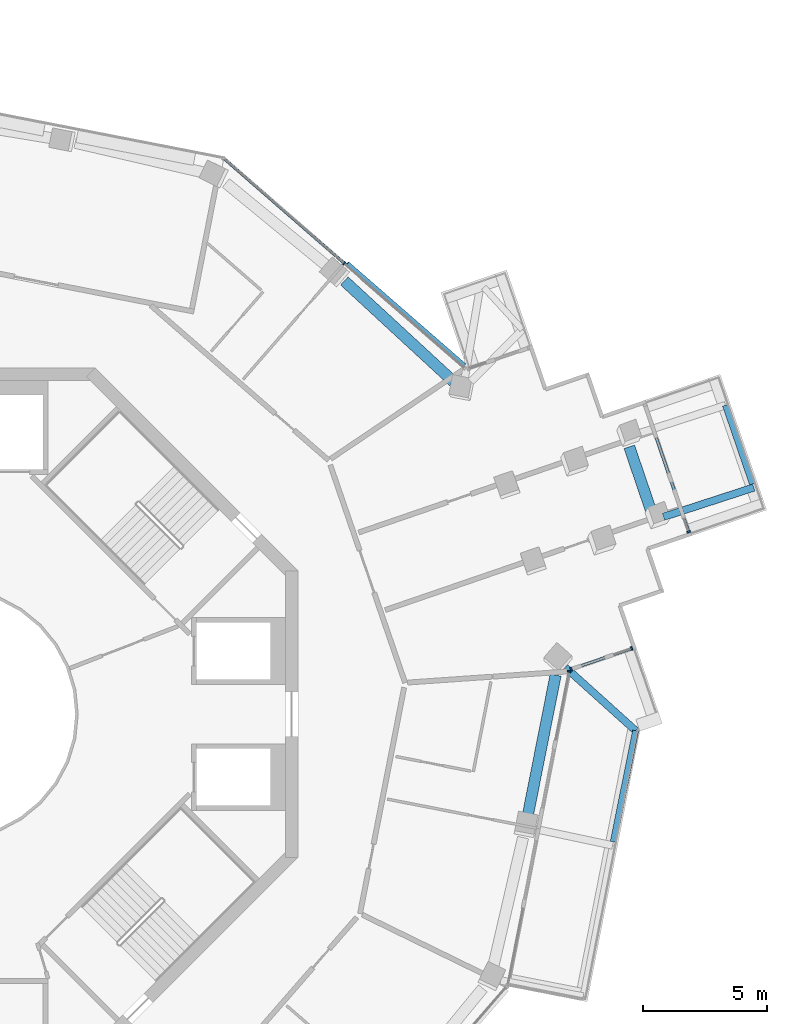
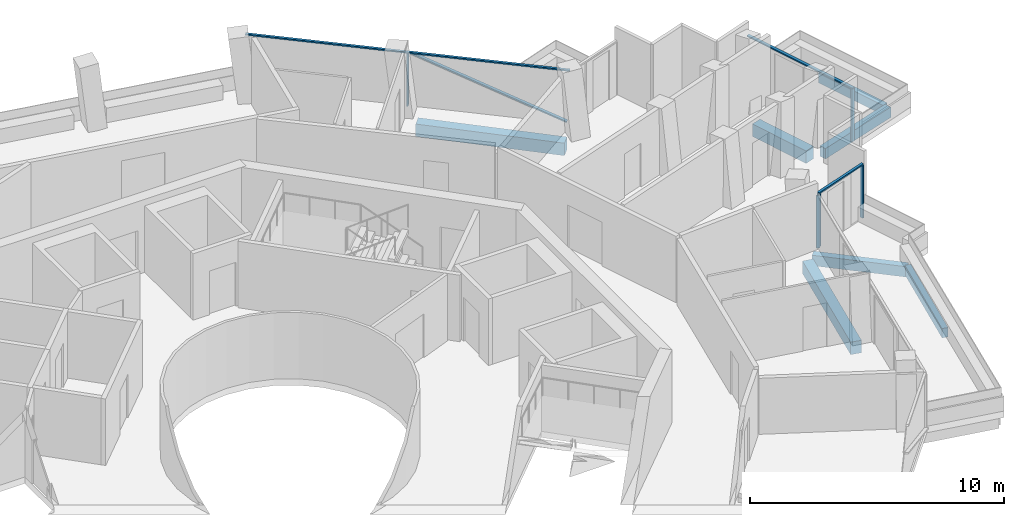
# One storey, part 8 of 22: 9 members, 7 beams, 4 elements without a shape of their own.
"""IFC4 building model written with IfcOpenShell, lengths in metres."""

from ifc_helpers import new_model, si_unit, direction, frame, origin, origin_2d, place, context, subcontext, project, spatial, rectangle, extrude, material, layer, layer_set, material_profile, profile_set, type_object, element, aggregate, save


model = new_model("IFC4")

# Units and contexts
model_context = context("Model", 3, precision=1e-05, world=origin(), true_north=direction((0.0, 1.0)))
body_context = subcontext(model_context, "Body", "Model", "MODEL_VIEW")
ifc_project = project(units=[si_unit("LENGTHUNIT", "METRE"), si_unit("AREAUNIT", "SQUARE_METRE"), si_unit("VOLUMEUNIT", "CUBIC_METRE"), si_unit("PLANEANGLEUNIT", "RADIAN"), si_unit("MASSUNIT", "GRAM", prefix="KILO")], contexts=[model_context])

# Site, building, storey
site_placement = place(None, origin())
site = spatial("IfcSite", under=ifc_project, at=site_placement, CompositionType="ELEMENT")
building_placement = place(site_placement, origin())
building = spatial("IfcBuilding", under=site, at=building_placement, Name="Verdalira Terraces Hotel", CompositionType="ELEMENT")
storey_placement = place(building_placement, frame((0.0, 0.0, 234.0)))
storey = spatial("IfcBuildingStorey", under=building, at=storey_placement, Name="L57", CompositionType="ELEMENT", Elevation=234.0)

# Beams
ifc_material_1 = material(Name="Concrete C40", Category="concrete")
ifc_material_profile_1 = material_profile(ifc_material_1, rectangle(XDim=0.300049, YDim=0.5, at=origin_2d()), Name="RC 300X500")
ifc_profile_set_1 = profile_set([ifc_material_profile_1], Name="Concrete C40")
beam_type_1 = type_object("IfcBeamType", Name="Balcony cantilever beam RC 300X500 C40", PredefinedType="BEAM", material=ifc_profile_set_1)
beam_1_placement = place(storey_placement, frame((24.831787, 1.885254, -0.560059), z_axis=(0.743112974, -0.669165979, 0.0), x_axis=(0.669165979, 0.743112974, 0.0)))
element("IfcBeam", 1, at=beam_1_placement, inside=storey, type_object=beam_type_1, Name="Balcony cantilever beam R27-3", PredefinedType="BEAM", context=body_context, shape_type="SweptSolid", body=[
    extrude(rectangle(XDim=0.300049, YDim=0.5, at=origin_2d()), origin(), (0.0, 0.0, 1.0), 3.819824),
])
beam_2_placement = place(storey_placement, frame((28.79541, 7.97998, -0.560059), z_axis=(0.951053225, 0.309027123, 0.0), x_axis=(-0.309027123, 0.951053225, 0.0)))
element("IfcBeam", 2, at=beam_2_placement, inside=storey, type_object=beam_type_1, Name="Balcony cantilever beam R33-1", PredefinedType="BEAM", context=body_context, shape_type="SweptSolid", body=[
    extrude(rectangle(XDim=0.300049, YDim=0.5, at=origin_2d()), origin(), (0.0, 0.0, 1.0), 3.8396),
])
ifc_material_2 = material(Name="Concrete C40", Category="concrete")
ifc_material_profile_2 = material_profile(ifc_material_2, rectangle(XDim=0.25, YDim=0.449951, at=origin_2d()), Name="RC 250X450")
ifc_profile_set_2 = profile_set([ifc_material_profile_2], Name="Concrete C40")
beam_type_2 = type_object("IfcBeamType", Name="Balcony edge beam RC 250X450 C40", PredefinedType="BEAM", material=ifc_profile_set_2)
beam_3_placement = place(storey_placement, frame((26.765137, -5.166504, -0.534912), z_axis=(0.19740596, 0.980321828, 0.0), x_axis=(-0.980321828, 0.19740596, 0.0)))
element("IfcBeam", 3, at=beam_3_placement, inside=storey, type_object=beam_type_2, Name="Balcony edge beam R27-2", PredefinedType="BEAM", context=body_context, shape_type="SweptSolid", body=[
    extrude(rectangle(XDim=0.25, YDim=0.449951, at=origin_2d()), origin(), (0.0, 0.0, 1.0), 4.585938),
])
beam_4_placement = place(storey_placement, frame((32.398193, 9.30835, -0.534912), z_axis=(-0.324842873, 0.945767999, 0.0), x_axis=(-0.945767999, -0.324842873, 0.0)))
element("IfcBeam", 4, at=beam_4_placement, inside=storey, type_object=beam_type_2, Name="Balcony edge beam R33-1", PredefinedType="BEAM", context=body_context, shape_type="SweptSolid", body=[
    extrude(rectangle(XDim=0.25, YDim=0.449951, at=origin_2d()), origin(), (0.0, 0.0, 1.0), 3.370117),
])

# Curtain wall, member
ifc_material_3 = material(Name="Clear glass", Category="glass")
ifc_layer_1 = layer(ifc_material_3, 0.14990234375)
ifc_layer_set_1 = layer_set([ifc_layer_1], Name="CW1 curtain wall")
curtain_wall_type_1 = type_object("IfcCurtainWallType", Name="CW1 curtain wall", PredefinedType="NOTDEFINED", material=ifc_layer_set_1)
curtain_wall_1_placement = place(storey_placement, origin())
curtain_wall_1 = element("IfcCurtainWall", 5, at=curtain_wall_1_placement, inside=storey, type_object=curtain_wall_type_1, Name="CW1 curtain wall L57 edge 27", PredefinedType="NOTDEFINED")
ifc_material_4 = material(Name="Terracotta frame", Category="masonry")
ifc_material_profile_3 = material_profile(ifc_material_4, rectangle(XDim=0.060059, YDim=0.149902, at=origin_2d()), Name="MU 60x150")
ifc_profile_set_3 = profile_set([ifc_material_profile_3], Name="Terracotta frame")
member_type_1 = type_object("IfcMemberType", Name="CW1 mullion 60x150", PredefinedType="MULLION", material=ifc_profile_set_3)
member_1_placement = place(storey_placement, frame((24.974854, 1.719238, 0.0), z_axis=(0.0, 0.0, 1.0), x_axis=(0.191494254, 0.981493734, 0.0)))
member_1 = element("IfcMember", 6, at=member_1_placement, type_object=member_type_1, Name="CW1 mullion", PredefinedType="MULLION", context=body_context, shape_type="SweptSolid", body=[
    extrude(rectangle(XDim=0.060059, YDim=0.149902, at=origin_2d()), origin(), (0.0, 0.0, 1.0), 2.524902),
])
aggregate(curtain_wall_1, [member_1])

# Curtain wall, members
curtain_wall_2_placement = place(storey_placement, origin())
curtain_wall_2 = element("IfcCurtainWall", 7, at=curtain_wall_2_placement, inside=storey, type_object=curtain_wall_type_1, Name="CW1 curtain wall L57 edge 39", PredefinedType="NOTDEFINED")
member_2_placement = place(storey_placement, frame((15.878418, 18.240234, 0.0), z_axis=(0.0, 0.0, 1.0), x_axis=(-0.754251381, 0.656585756, 0.0)))
member_2 = element("IfcMember", 8, at=member_2_placement, type_object=member_type_1, Name="CW1 mullion", PredefinedType="MULLION", context=body_context, shape_type="SweptSolid", body=[
    extrude(rectangle(XDim=0.060059, YDim=0.149902, at=origin_2d()), origin(), (0.0, 0.0, 1.0), 2.524902),
])
ifc_material_5 = material(Name="Terracotta frame", Category="masonry")
ifc_material_profile_4 = material_profile(ifc_material_5, rectangle(XDim=0.110107, YDim=0.064941, at=origin_2d()), Name="TR 65x110")
ifc_profile_set_4 = profile_set([ifc_material_profile_4], Name="Terracotta frame")
member_type_2 = type_object("IfcMemberType", Name="CW1 transom 65x110", PredefinedType="USERDEFINED", material=ifc_profile_set_4)
member_3_placement = place(storey_placement, frame((20.781006, 13.972412, 2.557617), z_axis=(-0.754247193, 0.656590567, 0.0), x_axis=(-0.656590567, -0.754247193, 0.0)))
member_3 = element("IfcMember", 9, at=member_3_placement, type_object=member_type_2, Name="CW1 transom", ObjectType="TRANSOM", PredefinedType="USERDEFINED", context=body_context, shape_type="SweptSolid", body=[
    extrude(rectangle(XDim=0.110107, YDim=0.064941, at=origin_2d()), origin(), (0.0, 0.0, 1.0), 13.0),
])

ifc_material_6 = material(Name="Clear glass", Category="glass")
ifc_layer_2 = layer(ifc_material_6, 0.14990234375)
ifc_layer_set_2 = layer_set([ifc_layer_2], Name="CW2 curtain wall")
curtain_wall_type_2 = type_object("IfcCurtainWallType", Name="CW2 curtain wall", PredefinedType="NOTDEFINED", material=ifc_layer_set_2)
curtain_wall_3_placement = place(storey_placement, origin())
curtain_wall_3 = element("IfcCurtainWall", 10, at=curtain_wall_3_placement, inside=storey, type_object=curtain_wall_type_2, Name="CW2 curtain wall L57 edge 28", PredefinedType="NOTDEFINED")
ifc_material_7 = material(Name="Terracotta frame", Category="masonry")
ifc_material_profile_5 = material_profile(ifc_material_7, rectangle(XDim=0.070068, YDim=0.149902, at=origin_2d()), Name="MU 70x150")
ifc_profile_set_5 = profile_set([ifc_material_profile_5], Name="Terracotta frame")
member_type_3 = type_object("IfcMemberType", Name="CW2 mullion 70x150", PredefinedType="MULLION", material=ifc_profile_set_5)
member_4_placement = place(storey_placement, frame((25.062744, 1.81665, 0.0), z_axis=(0.0, 0.0, 1.0), x_axis=(0.945745635, 0.324907979, 0.0)))
member_4 = element("IfcMember", 11, at=member_4_placement, type_object=member_type_3, Name="CW2 mullion", PredefinedType="MULLION", context=body_context, shape_type="SweptSolid", body=[
    extrude(rectangle(XDim=0.070068, YDim=0.149902, at=origin_2d()), origin(), (0.0, 0.0, 1.0), 2.524902),
])
member_5_placement = place(storey_placement, frame((27.509033, 2.656982, 0.0), z_axis=(0.0, 0.0, 1.0), x_axis=(0.945745635, 0.324907979, 0.0)))
member_5 = element("IfcMember", 12, at=member_5_placement, type_object=member_type_3, Name="CW2 mullion", PredefinedType="MULLION", context=body_context, shape_type="SweptSolid", body=[
    extrude(rectangle(XDim=0.070068, YDim=0.149902, at=origin_2d()), origin(), (0.0, 0.0, 1.0), 2.524902),
])
ifc_material_8 = material(Name="Terracotta frame", Category="masonry")
ifc_material_profile_6 = material_profile(ifc_material_8, rectangle(XDim=0.11499, YDim=0.064941, at=origin_2d()), Name="TR 65x115")
ifc_profile_set_6 = profile_set([ifc_material_profile_6], Name="Terracotta frame")
member_type_4 = type_object("IfcMemberType", Name="CW2 transom 65x115", PredefinedType="USERDEFINED", material=ifc_profile_set_6)
member_6_placement = place(storey_placement, frame((25.029785, 1.80542, 2.557617), z_axis=(0.945758091, 0.324871718, 0.0), x_axis=(-0.324871718, 0.945758091, 0.0)))
member_6 = element("IfcMember", 13, at=member_6_placement, type_object=member_type_4, Name="CW2 transom", ObjectType="TRANSOM", PredefinedType="USERDEFINED", context=body_context, shape_type="SweptSolid", body=[
    extrude(rectangle(XDim=0.11499, YDim=0.064941, at=origin_2d()), origin(), (0.0, 0.0, 1.0), 2.656494),
])
aggregate(curtain_wall_3, [member_4, member_5, member_6])

ifc_material_9 = material(Name="Clear glass", Category="glass")
ifc_layer_3 = layer(ifc_material_9, 0.14990234375)
ifc_layer_set_3 = layer_set([ifc_layer_3], Name="CW3 curtain wall")
curtain_wall_type_3 = type_object("IfcCurtainWallType", Name="CW3 curtain wall", PredefinedType="NOTDEFINED", material=ifc_layer_set_3)
curtain_wall_4_placement = place(storey_placement, origin())
curtain_wall_4 = element("IfcCurtainWall", 14, at=curtain_wall_4_placement, inside=storey, type_object=curtain_wall_type_3, Name="CW3 curtain wall L57 edge 33", PredefinedType="NOTDEFINED")
ifc_material_10 = material(Name="Terracotta frame", Category="masonry")
ifc_material_profile_7 = material_profile(ifc_material_10, rectangle(XDim=0.080078, YDim=0.149902, at=origin_2d()), Name="MU 80x150")
ifc_profile_set_7 = profile_set([ifc_material_profile_7], Name="Terracotta frame")
member_type_5 = type_object("IfcMemberType", Name="CW3 mullion 80x150", PredefinedType="MULLION", material=ifc_profile_set_7)
member_7_placement = place(storey_placement, frame((29.810791, 7.375977, 0.0), z_axis=(0.0, 0.0, 1.0), x_axis=(-0.324907979, 0.945745635, 0.0)))
member_7 = element("IfcMember", 15, at=member_7_placement, type_object=member_type_5, Name="CW3 mullion", PredefinedType="MULLION", context=body_context, shape_type="SweptSolid", body=[
    extrude(rectangle(XDim=0.080078, YDim=0.149902, at=origin_2d()), origin(), (0.0, 0.0, 1.0), 2.524902),
])
ifc_material_11 = material(Name="Terracotta frame", Category="masonry")
ifc_material_profile_8 = material_profile(ifc_material_11, rectangle(XDim=0.120117, YDim=0.064941, at=origin_2d()), Name="TR 65x120")
ifc_profile_set_8 = profile_set([ifc_material_profile_8], Name="Terracotta frame")
member_type_6 = type_object("IfcMemberType", Name="CW3 transom 65x120", PredefinedType="USERDEFINED", material=ifc_profile_set_8)
member_8_placement = place(storey_placement, frame((29.82373, 7.338135, 2.557617), z_axis=(-0.324883752, 0.945753957, 0.0), x_axis=(-0.945753957, -0.324883752, 0.0)))
member_8 = element("IfcMember", 16, at=member_8_placement, type_object=member_type_6, Name="CW3 transom", ObjectType="TRANSOM", PredefinedType="USERDEFINED", context=body_context, shape_type="SweptSolid", body=[
    extrude(rectangle(XDim=0.120117, YDim=0.064941, at=origin_2d()), origin(), (0.0, 0.0, 1.0), 5.5),
])
aggregate(curtain_wall_4, [member_7, member_8])

# Member
ifc_material_12 = material(Name="Terracotta frame", Category="masonry")
ifc_material_profile_9 = material_profile(ifc_material_12, rectangle(XDim=0.149902, YDim=0.060059, at=origin_2d()), Name="GB 60x150")
ifc_profile_set_9 = profile_set([ifc_material_profile_9], Name="Terracotta frame")
member_type_7 = type_object("IfcMemberType", Name="Diagonal glazing bar 60x150", PredefinedType="USERDEFINED", material=ifc_profile_set_9)
member_9_placement = place(storey_placement, frame((20.739502, 14.126709, 0.028564), z_axis=(-0.701764525, 0.610898456, 0.366510066), x_axis=(-0.656587712, -0.754249678, 0.0)))
member_9 = element("IfcMember", 17, at=member_9_placement, type_object=member_type_7, Name="Diagonal glazing bar", ObjectType="GLAZING BAR", PredefinedType="USERDEFINED", context=body_context, shape_type="SweptSolid", body=[
    extrude(rectangle(XDim=0.149902, YDim=0.060059, at=origin_2d()), origin(), (0.0, 0.0, 1.0), 6.733154),
])

aggregate(curtain_wall_2, [member_2, member_3, member_9])

# Beams
ifc_material_13 = material(Name="Concrete C40", Category="concrete")
ifc_material_profile_10 = material_profile(ifc_material_13, rectangle(XDim=0.449951, YDim=0.600098, at=origin_2d()), Name="RC 450X600")
ifc_profile_set_10 = profile_set([ifc_material_profile_10], Name="Concrete C40")
beam_type_3 = type_object("IfcBeamType", Name="Spandrel beam RC 450X600 C40", PredefinedType="SPANDREL", material=ifc_profile_set_10)
beam_5_placement = place(storey_placement, frame((23.2854, -4.200439, -0.610107), z_axis=(0.194402748, 0.980921797, 0.0), x_axis=(-0.980921797, 0.194402748, 0.0)))
element("IfcBeam", 18, at=beam_5_placement, inside=storey, type_object=beam_type_3, Name="Spandrel beam B16", PredefinedType="SPANDREL", context=body_context, shape_type="SweptSolid", body=[
    extrude(rectangle(XDim=0.449951, YDim=0.600098, at=origin_2d()), origin(), (0.0, 0.0, 1.0), 5.892334),
])
beam_6_placement = place(storey_placement, frame((28.316895, 8.152832, -0.610107), z_axis=(-0.322111411, 0.946701769, 0.0), x_axis=(-0.946701769, -0.322111411, 0.0)))
element("IfcBeam", 19, at=beam_6_placement, inside=storey, type_object=beam_type_3, Name="Spandrel beam B17", PredefinedType="SPANDREL", context=body_context, shape_type="SweptSolid", body=[
    extrude(rectangle(XDim=0.449951, YDim=0.600098, at=origin_2d()), origin(), (0.0, 0.0, 1.0), 2.810547),
])
beam_7_placement = place(storey_placement, frame((20.292725, 13.456055, -0.610107), z_axis=(-0.734998429, 0.678068809, 0.0), x_axis=(-0.678068809, -0.734998429, 0.0)))
element("IfcBeam", 20, at=beam_7_placement, inside=storey, type_object=beam_type_3, Name="Spandrel beam B18", PredefinedType="SPANDREL", context=body_context, shape_type="SweptSolid", body=[
    extrude(rectangle(XDim=0.449951, YDim=0.600098, at=origin_2d()), origin(), (0.0, 0.0, 1.0), 5.999512),
])

save(model, "model.ifc")
